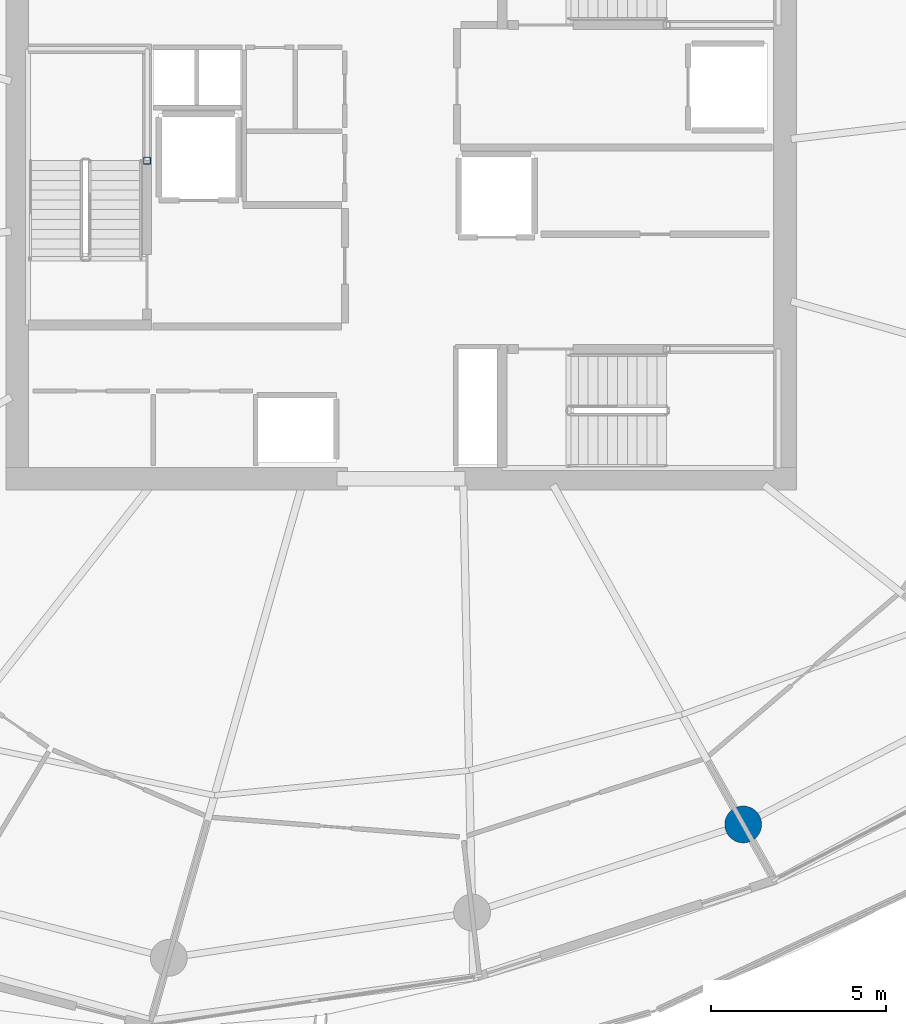
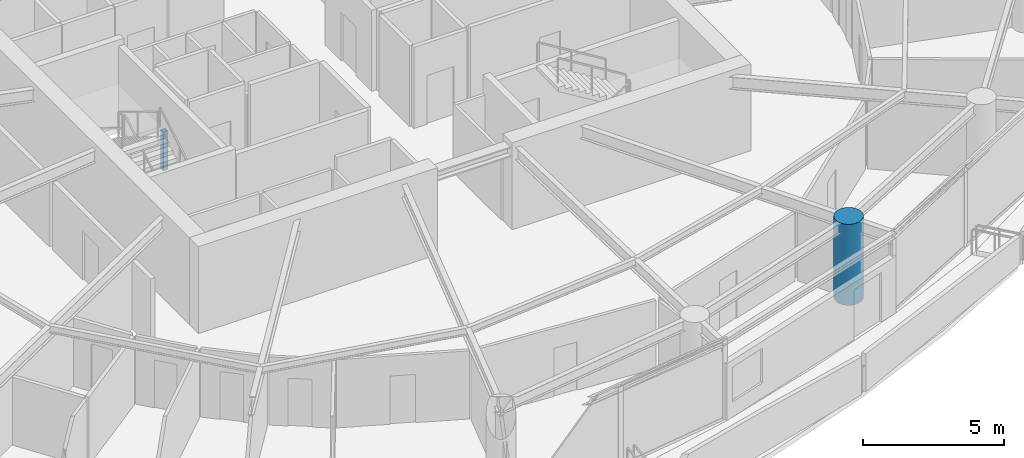
# One storey, part 2 of 20: 2 columns.
"""IFC4 building model written with IfcOpenShell, lengths in metres."""

import ifcopenshell
import ifcopenshell.guid

model = None  # the IFC model being written
_history = None  # IfcOwnerHistory: only IFC2X3 demands one
_inside = {}  # id of a spatial element -> (the spatial element, [elements in it])
_under = {}  # id of a project, library or spatial element -> (it, [spatial elements below it])
_declared = {}  # id of a project -> (the project, [libraries it declares])
_typed = {}  # id of a type object -> (the type object, [elements of that type])
_made_of = {}  # id of a material, layer set ... -> (it, [elements and type objects made of it])


def new_model(schema):
    """Start an empty IFC model of exactly this schema.

    Asked for "IFC4X3", IfcOpenShell would pick the latest addendum, in which some entities
    have other attributes; the version numbers below select the first issue.
    IFC2X3 requires an IfcOwnerHistory on every rooted entity: one is made here for all.
    """
    global model, _history
    if schema == "IFC4X3":
        model = ifcopenshell.file(schema_version=(4, 3, 0, 0))
    else:
        model = ifcopenshell.file(schema=schema)
    _inside.clear()
    _under.clear()
    _declared.clear()
    _typed.clear()
    _made_of.clear()
    _history = None
    if model.schema == "IFC2X3":
        org = make("IfcOrganization", Name="unknown")
        user = make(
            "IfcPersonAndOrganization",
            ThePerson=make("IfcPerson", FamilyName="unknown"),
            TheOrganization=org,
        )
        app = make(
            "IfcApplication",
            ApplicationDeveloper=org,
            Version="unknown",
            ApplicationFullName="unknown",
            ApplicationIdentifier="unknown",
        )
        _history = make(
            "IfcOwnerHistory",
            OwningUser=user,
            OwningApplication=app,
            ChangeAction="ADDED",
            CreationDate=0,
        )
    return model


def make(cls, **values):
    """One entity of the class cls with the attributes given. An attribute that is None is left unset."""
    return model.create_entity(
        cls, **{name: value for name, value in values.items() if value is not None}
    )


def rooted(cls, **values):
    """An entity with a GlobalId (a new one), such as an element, a storey or a relation."""
    return make(cls, GlobalId=ifcopenshell.guid.new(), OwnerHistory=_history, **values)


def si_unit(unit_type, name, prefix=None):
    """IfcSIUnit, for example si_unit("LENGTHUNIT", "METRE", prefix="MILLI")."""
    return make("IfcSIUnit", UnitType=unit_type, Prefix=prefix, Name=name)


def assignment(units):
    """IfcUnitAssignment: the units of a project."""
    return None if units is None else make("IfcUnitAssignment", Units=units)


def point(xyz):
    """IfcCartesianPoint."""
    return None if xyz is None else make("IfcCartesianPoint", Coordinates=xyz)


def direction(xyz):
    """IfcDirection."""
    return None if xyz is None else make("IfcDirection", DirectionRatios=xyz)


def frame(location, z_axis=None, x_axis=None):
    """IfcAxis2Placement3D, a coordinate frame: its origin and axes. An axis left out is left unset."""
    return make(
        "IfcAxis2Placement3D",
        Location=point(location),
        Axis=direction(z_axis),
        RefDirection=direction(x_axis),
    )


def frame_2d(location, x_axis=None):
    """IfcAxis2Placement2D, a coordinate frame in the plane: its origin and x axis."""
    return make(
        "IfcAxis2Placement2D", Location=point(location), RefDirection=direction(x_axis)
    )


def origin():
    """The frame at (0, 0, 0) with its axes left unset."""
    return frame((0.0, 0.0, 0.0))


def origin_2d():
    """The frame at (0, 0) in the plane with its x axis left unset."""
    return frame_2d((0.0, 0.0))


def place(relative_to, where):
    """IfcLocalPlacement: puts the frame where relative to a parent placement (None: the world)."""
    return make(
        "IfcLocalPlacement", PlacementRelTo=relative_to, RelativePlacement=where
    )


def context(
    kind, dimensions, precision=None, world=None, true_north=None, identifier=None
):
    """IfcGeometricRepresentationContext, for example the 3D "Model" context."""
    return make(
        "IfcGeometricRepresentationContext",
        ContextIdentifier=identifier,
        ContextType=kind,
        CoordinateSpaceDimension=dimensions,
        Precision=precision,
        WorldCoordinateSystem=world,
        TrueNorth=true_north,
    )


def subcontext(parent, identifier, kind, view, scale=None):
    """IfcGeometricRepresentationSubContext, for example "Body" below "Model"."""
    return make(
        "IfcGeometricRepresentationSubContext",
        ContextIdentifier=identifier,
        ContextType=kind,
        ParentContext=parent,
        TargetScale=scale,
        TargetView=view,
    )


def project(units=None, contexts=None):
    """IfcProject with its units and contexts."""
    return rooted(
        "IfcProject",
        Name="project",
        RepresentationContexts=contexts,
        UnitsInContext=assignment(units),
    )


def spatial(cls, under=None, at=None, **own):
    """A site, building, storey or space (cls), placed at a placement, below another one or the project."""
    s = rooted(cls, ObjectPlacement=at, **own)
    if under is not None:
        _under.setdefault(under.id(), (under, []))[1].append(s)
    return s


def profile(cls, at=None, kind="AREA", **sizes):
    """A parametric profile (cls). Its sizes go by their IFC names, for example OverallWidth=200.0."""
    return make(cls, ProfileType=kind, Position=at, **sizes)


def hollow_rectangle(**sizes):
    """IfcRectangleHollowProfileDef."""
    return profile("IfcRectangleHollowProfileDef", **sizes)


def circle(**sizes):
    """IfcCircleProfileDef."""
    return profile("IfcCircleProfileDef", **sizes)


def extrude(swept, where, along, depth):
    """IfcExtrudedAreaSolid: the profile swept, set in the frame where, extruded along a direction by depth."""
    return make(
        "IfcExtrudedAreaSolid",
        SweptArea=swept,
        Position=where,
        ExtrudedDirection=direction(along),
        Depth=depth,
    )


def shape(context_of_items, identifier, shape_type, items):
    """IfcShapeRepresentation: the items that make up one representation, for example the "Body"."""
    return make(
        "IfcShapeRepresentation",
        ContextOfItems=context_of_items,
        RepresentationIdentifier=identifier,
        RepresentationType=shape_type,
        Items=items,
    )


def material(Name=None, Category=None):
    """IfcMaterial."""
    return make("IfcMaterial", Name=Name, Category=Category)


def material_profile(
    of_material, cross_section, Name=None, Category=None, Priority=None
):
    """IfcMaterialProfile: a cross section and its material."""
    return make(
        "IfcMaterialProfile",
        Name=Name,
        Material=of_material,
        Profile=cross_section,
        Priority=Priority,
        Category=Category,
    )


def profile_set(profiles, Name=None, composite=None):
    """IfcMaterialProfileSet."""
    return make(
        "IfcMaterialProfileSet",
        Name=Name,
        MaterialProfiles=profiles,
        CompositeProfile=composite,
    )


def made_of(thing, what):
    """Note that an element or type object is made of a material, layer set ...; save() writes the relation."""
    if what is not None:
        _made_of.setdefault(what.id(), (what, []))[1].append(thing)
    return thing


def type_object(cls, material=None, **own):
    """A type object (cls), such as IfcWallType, which elements share."""
    return made_of(rooted(cls, **own), material)


def element(
    cls,
    number,
    at=None,
    inside=None,
    cuts=None,
    type_object=None,
    material=None,
    context=None,
    identifier="Body",
    shape_type=None,
    held_by="IfcProductDefinitionShape",
    body=None,
    shapes=None,
    **own,
):
    """One element of the class cls, such as IfcWall. Its Tag is "e" and its number.

    at: its placement. inside: the storey or other place that contains it. cuts: it is an
    opening in that element (IfcRelVoidsElement). A single representation is given by context,
    identifier, shape_type and body (its items); several are given by shapes. held_by: the class
    of the entity that holds the representations. save() writes the other relations.
    """
    e = rooted(cls, Tag="e%d" % number, ObjectPlacement=at, **own)
    if body is not None:
        shapes = [shape(context, identifier, shape_type, body)]
    if shapes is not None:
        e.Representation = make(held_by, Representations=shapes)
    if inside is not None:
        _inside.setdefault(inside.id(), (inside, []))[1].append(e)
    if cuts is not None:
        rooted(
            "IfcRelVoidsElement", RelatingBuildingElement=cuts, RelatedOpeningElement=e
        )
    if type_object is not None:
        _typed.setdefault(type_object.id(), (type_object, []))[1].append(e)
    return made_of(e, material)


def aggregate(whole, parts):
    """IfcRelAggregates: a whole, such as a stair, and the parts it consists of."""
    return rooted("IfcRelAggregates", RelatingObject=whole, RelatedObjects=parts)


def save(model, path):
    """Write the relations noted so far, then the file.

    IfcRelAggregates (storeys below a building ...), IfcRelContainedInSpatialStructure (elements
    in a storey), IfcRelDefinesByType, IfcRelAssociatesMaterial and IfcRelDeclares: one each for
    every whole, place, type object, material and project.
    """
    for whole, parts in _under.values():
        aggregate(whole, parts)
    for where, things in _inside.values():
        rooted(
            "IfcRelContainedInSpatialStructure",
            RelatedElements=things,
            RelatingStructure=where,
        )
    for kind, things in _typed.values():
        rooted("IfcRelDefinesByType", RelatedObjects=things, RelatingType=kind)
    for what, things in _made_of.values():
        rooted("IfcRelAssociatesMaterial", RelatedObjects=things, RelatingMaterial=what)
    for by, libraries in _declared.values():
        rooted("IfcRelDeclares", RelatingContext=by, RelatedDefinitions=libraries)
    model.write(path)


model = new_model("IFC4")

# Units and contexts
model_context = context("Model", 3, precision=1e-05, world=origin(), true_north=direction((0.0, 1.0)))
body_context = subcontext(model_context, "Body", "Model", "MODEL_VIEW")
ifc_project = project(units=[si_unit("LENGTHUNIT", "METRE"), si_unit("AREAUNIT", "SQUARE_METRE"), si_unit("VOLUMEUNIT", "CUBIC_METRE"), si_unit("PLANEANGLEUNIT", "RADIAN"), si_unit("MASSUNIT", "GRAM", prefix="KILO")], contexts=[model_context])

# Site, building, storey
site_placement = place(None, origin())
site = spatial("IfcSite", under=ifc_project, at=site_placement, CompositionType="ELEMENT")
building_placement = place(site_placement, origin())
building = spatial("IfcBuilding", under=site, at=building_placement, Name="Kazma Halo Residences", CompositionType="ELEMENT")
storey_placement = place(building_placement, frame((0.0, 0.0, 202.800048828125)))
storey = spatial("IfcBuildingStorey", under=building, at=storey_placement, Name="L51", CompositionType="ELEMENT", Elevation=202.800048828125)

# Columns
ifc_material_1 = material(Name="Steel S355", Category="steel")
ifc_material_profile_1 = material_profile(ifc_material_1, hollow_rectangle(XDim=0.199951171875, YDim=0.199951171875, WallThickness=0.010009765625, InnerFilletRadius=0.010009765625, OuterFilletRadius=0.02001953125, at=origin_2d()), Name="SHS200x200x10")
ifc_profile_set_1 = profile_set([ifc_material_profile_1], Name="Steel S355")
column_type_1 = type_object("IfcColumnType", Name="COL-LP-SHS200", PredefinedType="COLUMN", material=ifc_profile_set_1)
column_1_placement = place(storey_placement, frame((41.179931640625, 42.75, 0.0), z_axis=(0.0, 0.0, 1.0), x_axis=(1.0, 0.0, 0.0)))
element("IfcColumn", 1, at=column_1_placement, inside=storey, type_object=column_type_1, Name="L51 ST-01 landing pilaster 1", PredefinedType="COLUMN", context=body_context, shape_type="SweptSolid", body=[
    extrude(hollow_rectangle(XDim=0.199951171875, YDim=0.199951171875, WallThickness=0.010009765625, InnerFilletRadius=0.010009765625, OuterFilletRadius=0.02001953125, at=origin_2d()), origin(), (0.0, 0.0, 1.0), 1.669921875),
])
ifc_material_2 = material(Name="Concrete C80/95", Category="concrete")
ifc_material_profile_2 = material_profile(ifc_material_2, circle(Radius=0.52490234375, at=origin_2d()), Name="CIRC1050")
ifc_profile_set_2 = profile_set([ifc_material_profile_2], Name="Concrete C80/95")
column_type_2 = type_object("IfcColumnType", Name="COL-PERIM-1050", PredefinedType="COLUMN", material=ifc_profile_set_2)
column_2_placement = place(storey_placement, frame((58.184814453125, 23.813720703125, 0.0), z_axis=(0.0, 0.0, 1.0), x_axis=(1.0, 0.0, 0.0)))
element("IfcColumn", 2, at=column_2_placement, inside=storey, type_object=column_type_2, Name="L51 perimeter ring column P13", PredefinedType="COLUMN", context=body_context, shape_type="SweptSolid", body=[
    extrude(circle(Radius=0.52490234375, at=origin_2d()), origin(), (0.0, 0.0, 1.0), 3.5),
])

save(model, "model.ifc")
